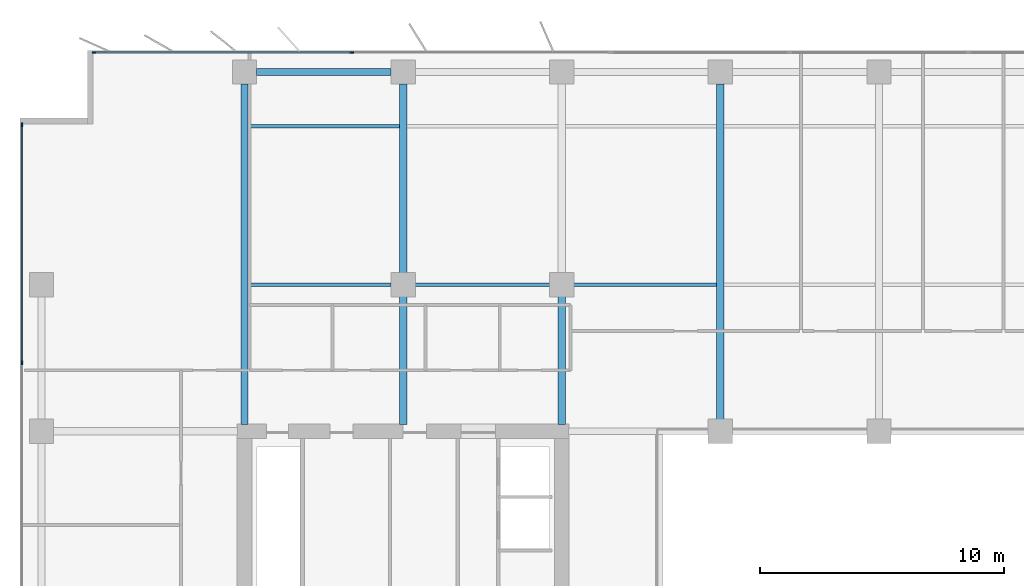
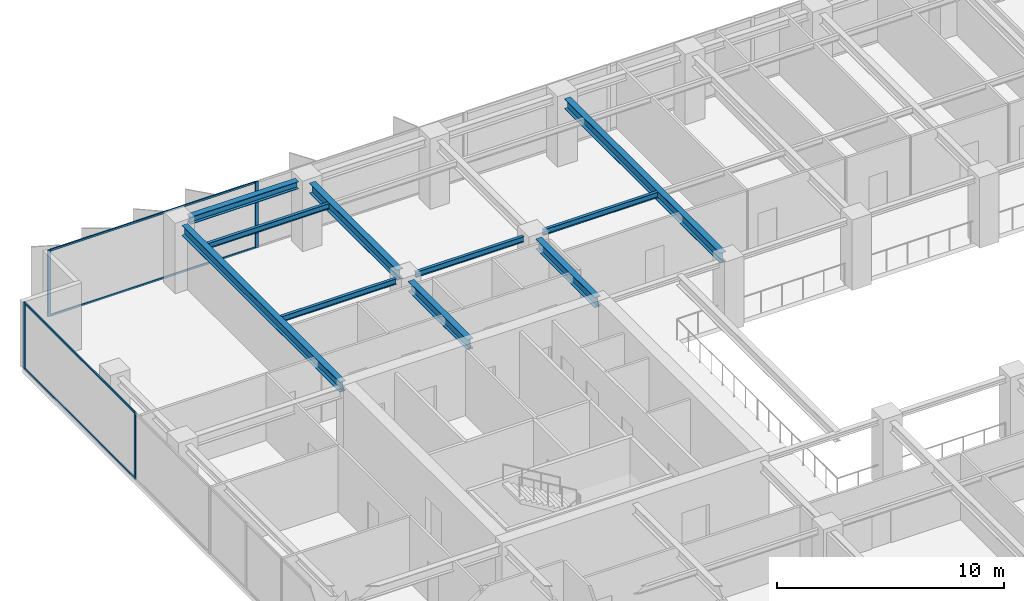
# One storey, part 8 of 22: 10 beams, 8 members, 2 elements without a shape of their own.
"""IFC4 building model written with IfcOpenShell, lengths in metres."""

from ifc_helpers import new_model, si_unit, direction, frame, origin, origin_2d, place, context, subcontext, project, spatial, rectangle, i_section, extrude, material, layer, layer_set, material_profile, profile_set, type_object, element, aggregate, save


model = new_model("IFC4")

# Units and contexts
model_context = context("Model", 3, precision=1e-05, world=origin(), true_north=direction((0.0, 1.0)))
body_context = subcontext(model_context, "Body", "Model", "MODEL_VIEW")
ifc_project = project(units=[si_unit("LENGTHUNIT", "METRE"), si_unit("AREAUNIT", "SQUARE_METRE"), si_unit("VOLUMEUNIT", "CUBIC_METRE"), si_unit("PLANEANGLEUNIT", "RADIAN"), si_unit("MASSUNIT", "GRAM", prefix="KILO")], contexts=[model_context])

# Site, building, storey
site_placement = place(None, origin())
site = spatial("IfcSite", under=ifc_project, at=site_placement, CompositionType="ELEMENT")
building_placement = place(site_placement, origin())
building = spatial("IfcBuilding", under=site, at=building_placement, Name="Putna Gate Headquarters", CompositionType="ELEMENT")
storey_placement = place(building_placement, frame((0.0, 0.0, 186.0)))
storey = spatial("IfcBuildingStorey", under=building, at=storey_placement, Name="L46", CompositionType="ELEMENT", Elevation=186.0)

# Beams
ifc_material_1 = material(Name="Steel S355J2", Category="steel")
ifc_material_profile_1 = material_profile(ifc_material_1, i_section(OverallWidth=0.300048828125, OverallDepth=0.550048828125, WebThickness=0.014892578125, FlangeThickness=0.029052734375, at=origin_2d()), Name="Steel S355J2")
ifc_profile_set_1 = profile_set([ifc_material_profile_1], Name="Steel S355J2")
beam_type_1 = type_object("IfcBeamType", Name="BM-GIRD-Z3-HEB550", PredefinedType="USERDEFINED", material=ifc_profile_set_1)
beam_1_placement = place(storey_placement, frame((13.0, 33.284912109375, 3.297119140625), z_axis=(0.0, 1.0, 0.0), x_axis=(-1.0, 0.0, 0.0)))
element("IfcBeam", 1, at=beam_1_placement, inside=storey, type_object=beam_type_1, Name="L46 North Primary Girder X13", ObjectType="GIRDER", PredefinedType="USERDEFINED", context=body_context, shape_type="SweptSolid", body=[
    extrude(i_section(OverallWidth=0.300048828125, OverallDepth=0.550048828125, WebThickness=0.014892578125, FlangeThickness=0.029052734375, at=origin_2d()), origin(), (0.0, 0.0, 1.0), 13.947021484375),
])
beam_2_placement = place(storey_placement, frame((19.5, 33.284912109375, 3.297119140625), z_axis=(0.0, 1.0, 0.0), x_axis=(-1.0, 0.0, 0.0)))
element("IfcBeam", 2, at=beam_2_placement, inside=storey, type_object=beam_type_1, Name="L46 North Primary Girder X19-1", ObjectType="GIRDER", PredefinedType="USERDEFINED", context=body_context, shape_type="SweptSolid", body=[
    extrude(i_section(OverallWidth=0.300048828125, OverallDepth=0.550048828125, WebThickness=0.014892578125, FlangeThickness=0.029052734375, at=origin_2d()), origin(), (0.0, 0.0, 1.0), 5.22705078125),
])
beam_3_placement = place(storey_placement, frame((19.5, 39.488037109375, 3.297119140625), z_axis=(0.0, 1.0, 0.0), x_axis=(-1.0, 0.0, 0.0)))
element("IfcBeam", 3, at=beam_3_placement, inside=storey, type_object=beam_type_1, Name="L46 North Primary Girder X19-2", ObjectType="GIRDER", PredefinedType="USERDEFINED", context=body_context, shape_type="SweptSolid", body=[
    extrude(i_section(OverallWidth=0.300048828125, OverallDepth=0.550048828125, WebThickness=0.014892578125, FlangeThickness=0.029052734375, at=origin_2d()), origin(), (0.0, 0.0, 1.0), 7.743896484375),
])
beam_4_placement = place(storey_placement, frame((26.0, 33.284912109375, 3.297119140625), z_axis=(0.0, 1.0, 0.0), x_axis=(-1.0, 0.0, 0.0)))
element("IfcBeam", 4, at=beam_4_placement, inside=storey, type_object=beam_type_1, Name="L46 North Primary Girder X26-1", ObjectType="GIRDER", PredefinedType="USERDEFINED", context=body_context, shape_type="SweptSolid", body=[
    extrude(i_section(OverallWidth=0.300048828125, OverallDepth=0.550048828125, WebThickness=0.014892578125, FlangeThickness=0.029052734375, at=origin_2d()), origin(), (0.0, 0.0, 1.0), 5.22705078125),
])
beam_5_placement = place(storey_placement, frame((32.5, 33.488037109375, 3.297119140625), z_axis=(0.0, 1.0, 0.0), x_axis=(-1.0, 0.0, 0.0)))
element("IfcBeam", 5, at=beam_5_placement, inside=storey, type_object=beam_type_1, Name="L46 North Primary Girder X32", ObjectType="GIRDER", PredefinedType="USERDEFINED", context=body_context, shape_type="SweptSolid", body=[
    extrude(i_section(OverallWidth=0.300048828125, OverallDepth=0.550048828125, WebThickness=0.014892578125, FlangeThickness=0.029052734375, at=origin_2d()), origin(), (0.0, 0.0, 1.0), 13.743896484375),
])
ifc_material_profile_2 = material_profile(ifc_material_1, i_section(OverallWidth=0.14990234375, OverallDepth=0.300048828125, WebThickness=0.007080078125, FlangeThickness=0.0107421875, at=origin_2d()), Name="Steel S355J2")
ifc_profile_set_2 = profile_set([ifc_material_profile_2], Name="Steel S355J2")
beam_type_2 = type_object("IfcBeamType", Name="BM-SEC-Z3-IPE300", PredefinedType="JOIST", material=ifc_profile_set_2)
beam_6_placement = place(storey_placement, frame((13.154052734375, 39.0, 3.422119140625), z_axis=(1.0, 0.0, 0.0), x_axis=(0.0, 1.0, 0.0)))
element("IfcBeam", 6, at=beam_6_placement, inside=storey, type_object=beam_type_2, Name="L46 North Secondary Beam 1", PredefinedType="JOIST", context=body_context, shape_type="SweptSolid", body=[
    extrude(i_section(OverallWidth=0.14990234375, OverallDepth=0.300048828125, WebThickness=0.007080078125, FlangeThickness=0.0107421875, at=origin_2d()), origin(), (0.0, 0.0, 1.0), 5.85791015625),
])
beam_7_placement = place(storey_placement, frame((13.154052734375, 45.5, 3.422119140625), z_axis=(1.0, 0.0, 0.0), x_axis=(0.0, 1.0, 0.0)))
element("IfcBeam", 7, at=beam_7_placement, inside=storey, type_object=beam_type_2, Name="L46 North Secondary Beam 1", PredefinedType="JOIST", context=body_context, shape_type="SweptSolid", body=[
    extrude(i_section(OverallWidth=0.14990234375, OverallDepth=0.300048828125, WebThickness=0.007080078125, FlangeThickness=0.0107421875, at=origin_2d()), origin(), (0.0, 0.0, 1.0), 6.19189453125),
])
beam_8_placement = place(storey_placement, frame((19.988037109375, 39.0, 3.422119140625), z_axis=(1.0, 0.0, 0.0), x_axis=(0.0, 1.0, 0.0)))
element("IfcBeam", 8, at=beam_8_placement, inside=storey, type_object=beam_type_2, Name="L46 North Secondary Beam 2", PredefinedType="JOIST", context=body_context, shape_type="SweptSolid", body=[
    extrude(i_section(OverallWidth=0.14990234375, OverallDepth=0.300048828125, WebThickness=0.007080078125, FlangeThickness=0.0107421875, at=origin_2d()), origin(), (0.0, 0.0, 1.0), 5.52392578125),
])
beam_9_placement = place(storey_placement, frame((26.488037109375, 39.0, 3.422119140625), z_axis=(1.0, 0.0, 0.0), x_axis=(0.0, 1.0, 0.0)))
element("IfcBeam", 9, at=beam_9_placement, inside=storey, type_object=beam_type_2, Name="L46 North Secondary Beam 3", PredefinedType="JOIST", context=body_context, shape_type="SweptSolid", body=[
    extrude(i_section(OverallWidth=0.14990234375, OverallDepth=0.300048828125, WebThickness=0.007080078125, FlangeThickness=0.0107421875, at=origin_2d()), origin(), (0.0, 0.0, 1.0), 5.85791015625),
])
ifc_material_profile_3 = material_profile(ifc_material_1, i_section(OverallWidth=0.300048828125, OverallDepth=0.39990234375, WebThickness=0.013427734375, FlangeThickness=0.02392578125, at=origin_2d()), Name="Steel S355J2")
ifc_profile_set_3 = profile_set([ifc_material_profile_3], Name="Steel S355J2")
beam_type_3 = type_object("IfcBeamType", Name="BM-SPAN-Z3-HEB400", PredefinedType="SPANDREL", material=ifc_profile_set_3)
beam_10_placement = place(storey_placement, frame((13.488037109375, 47.719970703125, 3.3720703125), z_axis=(1.0, 0.0, 0.0), x_axis=(0.0, 1.0, 0.0)))
element("IfcBeam", 10, at=beam_10_placement, inside=storey, type_object=beam_type_3, Name="L46 N Perimeter Spandrel 1", PredefinedType="SPANDREL", context=body_context, shape_type="SweptSolid", body=[
    extrude(i_section(OverallWidth=0.300048828125, OverallDepth=0.39990234375, WebThickness=0.013427734375, FlangeThickness=0.02392578125, at=origin_2d()), origin(), (0.0, 0.0, 1.0), 5.52392578125),
])

# Curtain wall, members
ifc_material_2 = material(Name="Anodised bronze aluminium curtain wall", Category="aluminium")
ifc_layer = layer(ifc_material_2, 0.159912109375)
ifc_layer_set = layer_set([ifc_layer], Name="Anodised bronze aluminium curtain wall")
curtain_wall_type = type_object("IfcCurtainWallType", Name="CW-SYS-Z3", PredefinedType="USERDEFINED", material=ifc_layer_set)
curtain_wall_1_placement = place(storey_placement, origin())
curtain_wall_1 = element("IfcCurtainWall", 11, at=curtain_wall_1_placement, inside=storey, type_object=curtain_wall_type, Name="L46 North West Curtain Wall", ObjectType="STICK CURTAIN WALL", PredefinedType="USERDEFINED")
ifc_material_3 = material(Name="Anodised bronze aluminium EN AW-6060", Category="aluminium")
ifc_material_profile_4 = material_profile(ifc_material_3, rectangle(XDim=0.06494140625, YDim=0.159912109375, at=origin_2d()), Name="Anodised bronze aluminium EN AW-6060")
ifc_profile_set_4 = profile_set([ifc_material_profile_4], Name="Anodised bronze aluminium EN AW-6060")
member_type_1 = type_object("IfcMemberType", Name="MULL-CWM-3", PredefinedType="MULLION", material=ifc_profile_set_4)
member_1_placement = place(storey_placement, frame((6.83251953125, 48.52001953125, 0.0), z_axis=(0.0, 0.0, 1.0), x_axis=(0.0, 1.0, 0.0)))
member_1 = element("IfcMember", 12, at=member_1_placement, type_object=member_type_1, Name="CWS-3 mullion 1", PredefinedType="MULLION", context=body_context, shape_type="SweptSolid", body=[
    extrude(rectangle(XDim=0.06494140625, YDim=0.159912109375, at=origin_2d()), origin(), (0.0, 0.0, 1.0), 3.572021484375),
])
member_2_placement = place(storey_placement, frame((17.39990234375, 48.52001953125, 0.0), z_axis=(0.0, 0.0, 1.0), x_axis=(0.0, 1.0, 0.0)))
member_2 = element("IfcMember", 13, at=member_2_placement, type_object=member_type_1, Name="CWS-3 mullion 2", PredefinedType="MULLION", context=body_context, shape_type="SweptSolid", body=[
    extrude(rectangle(XDim=0.06494140625, YDim=0.159912109375, at=origin_2d()), origin(), (0.0, 0.0, 1.0), 3.572021484375),
])

curtain_wall_2_placement = place(storey_placement, origin())
curtain_wall_2 = element("IfcCurtainWall", 14, at=curtain_wall_2_placement, inside=storey, type_object=curtain_wall_type, Name="L46 West Curtain Wall", ObjectType="STICK CURTAIN WALL", PredefinedType="USERDEFINED")
member_3_placement = place(storey_placement, frame((3.8798828125, 35.800048828125, 0.0), z_axis=(0.0, 0.0, 1.0), x_axis=(-1.0, 0.0, 0.0)))
member_3 = element("IfcMember", 15, at=member_3_placement, type_object=member_type_1, Name="CWS-3 mullion 4", PredefinedType="MULLION", context=body_context, shape_type="SweptSolid", body=[
    extrude(rectangle(XDim=0.06494140625, YDim=0.159912109375, at=origin_2d()), origin(), (0.0, 0.0, 1.0), 3.572021484375),
])
member_4_placement = place(storey_placement, frame((3.8798828125, 45.5673828125, 0.0), z_axis=(0.0, 0.0, 1.0), x_axis=(-1.0, 0.0, 0.0)))
member_4 = element("IfcMember", 16, at=member_4_placement, type_object=member_type_1, Name="CWS-3 mullion 5", PredefinedType="MULLION", context=body_context, shape_type="SweptSolid", body=[
    extrude(rectangle(XDim=0.06494140625, YDim=0.159912109375, at=origin_2d()), origin(), (0.0, 0.0, 1.0), 3.572021484375),
])

# Member
ifc_material_profile_5 = material_profile(ifc_material_3, rectangle(XDim=0.06005859375, YDim=0.10009765625, at=origin_2d()), Name="Anodised bronze aluminium EN AW-6060")
ifc_profile_set_5 = profile_set([ifc_material_profile_5], Name="Anodised bronze aluminium EN AW-6060")
member_type_2 = type_object("IfcMemberType", Name="TRAN-CWT-3", PredefinedType="USERDEFINED", material=ifc_profile_set_5)
member_5_placement = place(storey_placement, frame((6.864990234375, 48.52001953125, 0.030029296875), z_axis=(1.0, 0.0, 0.0), x_axis=(0.0, 1.0, 0.0)))
member_5 = element("IfcMember", 17, at=member_5_placement, type_object=member_type_2, Name="CWS-3 transom 1.1", ObjectType="TRANSOM", PredefinedType="USERDEFINED", context=body_context, shape_type="SweptSolid", body=[
    extrude(rectangle(XDim=0.06005859375, YDim=0.10009765625, at=origin_2d()), origin(), (0.0, 0.0, 1.0), 10.50244140625),
])

member_6_placement = place(storey_placement, frame((6.864990234375, 48.52001953125, 3.5419921875), z_axis=(1.0, 0.0, 0.0), x_axis=(0.0, 1.0, 0.0)))
member_6 = element("IfcMember", 18, at=member_6_placement, type_object=member_type_2, Name="CWS-3 transom 1.2", ObjectType="TRANSOM", PredefinedType="USERDEFINED", context=body_context, shape_type="SweptSolid", body=[
    extrude(rectangle(XDim=0.06005859375, YDim=0.10009765625, at=origin_2d()), origin(), (0.0, 0.0, 1.0), 10.50244140625),
])

aggregate(curtain_wall_1, [member_1, member_2, member_5, member_6])

member_7_placement = place(storey_placement, frame((3.8798828125, 35.83251953125, 0.030029296875), z_axis=(0.0, 1.0, 0.0), x_axis=(-1.0, 0.0, 0.0)))
member_7 = element("IfcMember", 19, at=member_7_placement, type_object=member_type_2, Name="CWS-3 transom 4.1", ObjectType="TRANSOM", PredefinedType="USERDEFINED", context=body_context, shape_type="SweptSolid", body=[
    extrude(rectangle(XDim=0.06005859375, YDim=0.10009765625, at=origin_2d()), origin(), (0.0, 0.0, 1.0), 9.702392578125),
])

member_8_placement = place(storey_placement, frame((3.8798828125, 35.83251953125, 3.5419921875), z_axis=(0.0, 1.0, 0.0), x_axis=(-1.0, 0.0, 0.0)))
member_8 = element("IfcMember", 20, at=member_8_placement, type_object=member_type_2, Name="CWS-3 transom 4.2", ObjectType="TRANSOM", PredefinedType="USERDEFINED", context=body_context, shape_type="SweptSolid", body=[
    extrude(rectangle(XDim=0.06005859375, YDim=0.10009765625, at=origin_2d()), origin(), (0.0, 0.0, 1.0), 9.702392578125),
])

aggregate(curtain_wall_2, [member_3, member_4, member_7, member_8])

save(model, "model.ifc")
